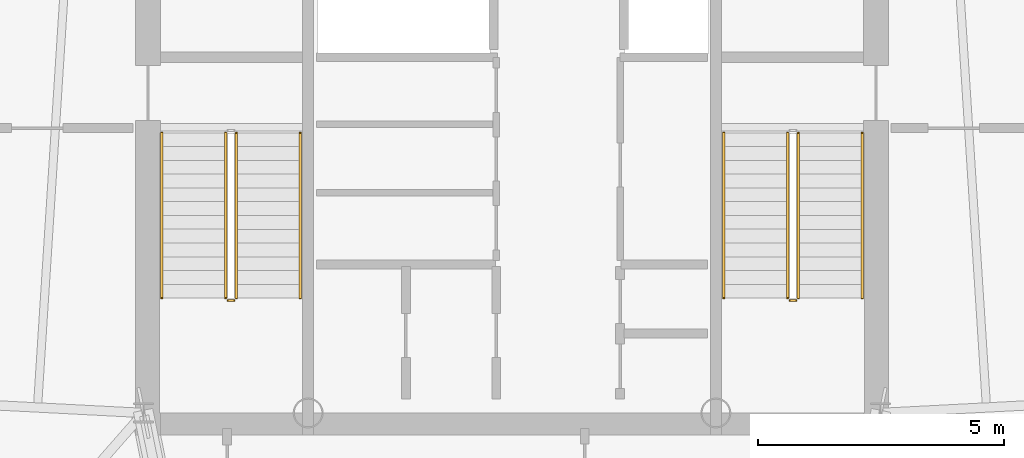
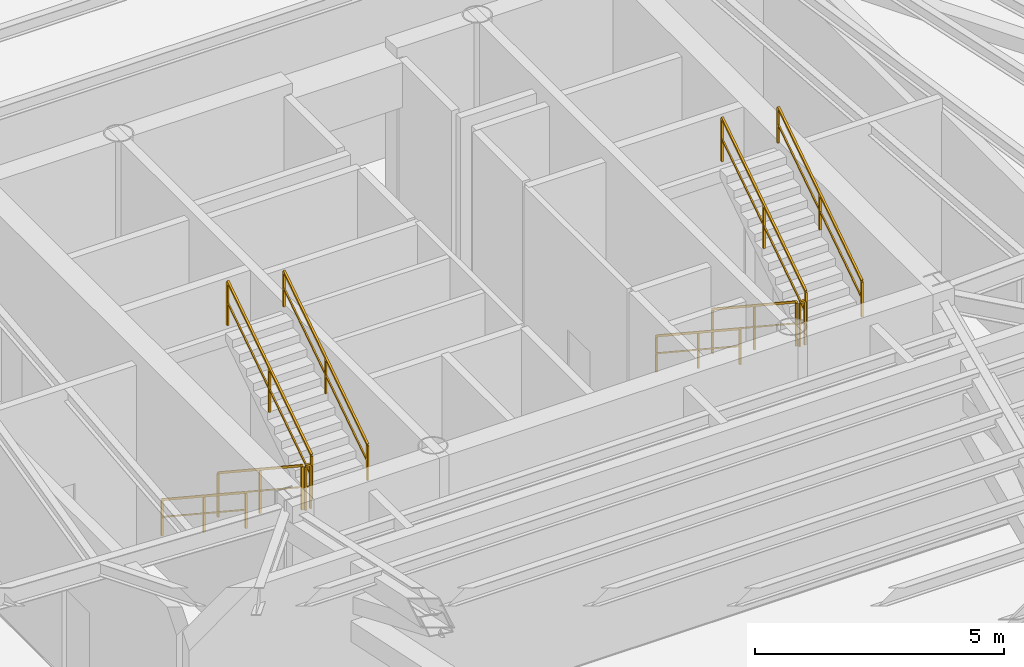
# One storey, part 9 of 12: 10 railings.
"""IFC4 building model written with IfcOpenShell, lengths in metres."""

import ifcopenshell
import ifcopenshell.guid

model = None  # the IFC model being written
_history = None  # IfcOwnerHistory: only IFC2X3 demands one
_inside = {}  # id of a spatial element -> (the spatial element, [elements in it])
_under = {}  # id of a project, library or spatial element -> (it, [spatial elements below it])
_declared = {}  # id of a project -> (the project, [libraries it declares])
_typed = {}  # id of a type object -> (the type object, [elements of that type])
_made_of = {}  # id of a material, layer set ... -> (it, [elements and type objects made of it])


def new_model(schema):
    """Start an empty IFC model of exactly this schema.

    Asked for "IFC4X3", IfcOpenShell would pick the latest addendum, in which some entities
    have other attributes; the version numbers below select the first issue.
    IFC2X3 requires an IfcOwnerHistory on every rooted entity: one is made here for all.
    """
    global model, _history
    if schema == "IFC4X3":
        model = ifcopenshell.file(schema_version=(4, 3, 0, 0))
    else:
        model = ifcopenshell.file(schema=schema)
    _inside.clear()
    _under.clear()
    _declared.clear()
    _typed.clear()
    _made_of.clear()
    _history = None
    if model.schema == "IFC2X3":
        org = make("IfcOrganization", Name="unknown")
        user = make(
            "IfcPersonAndOrganization",
            ThePerson=make("IfcPerson", FamilyName="unknown"),
            TheOrganization=org,
        )
        app = make(
            "IfcApplication",
            ApplicationDeveloper=org,
            Version="unknown",
            ApplicationFullName="unknown",
            ApplicationIdentifier="unknown",
        )
        _history = make(
            "IfcOwnerHistory",
            OwningUser=user,
            OwningApplication=app,
            ChangeAction="ADDED",
            CreationDate=0,
        )
    return model


def make(cls, **values):
    """One entity of the class cls with the attributes given. An attribute that is None is left unset."""
    return model.create_entity(
        cls, **{name: value for name, value in values.items() if value is not None}
    )


def rooted(cls, **values):
    """An entity with a GlobalId (a new one), such as an element, a storey or a relation."""
    return make(cls, GlobalId=ifcopenshell.guid.new(), OwnerHistory=_history, **values)


def si_unit(unit_type, name, prefix=None):
    """IfcSIUnit, for example si_unit("LENGTHUNIT", "METRE", prefix="MILLI")."""
    return make("IfcSIUnit", UnitType=unit_type, Prefix=prefix, Name=name)


def assignment(units):
    """IfcUnitAssignment: the units of a project."""
    return None if units is None else make("IfcUnitAssignment", Units=units)


def point(xyz):
    """IfcCartesianPoint."""
    return None if xyz is None else make("IfcCartesianPoint", Coordinates=xyz)


def direction(xyz):
    """IfcDirection."""
    return None if xyz is None else make("IfcDirection", DirectionRatios=xyz)


def frame(location, z_axis=None, x_axis=None):
    """IfcAxis2Placement3D, a coordinate frame: its origin and axes. An axis left out is left unset."""
    return make(
        "IfcAxis2Placement3D",
        Location=point(location),
        Axis=direction(z_axis),
        RefDirection=direction(x_axis),
    )


def frame_2d(location, x_axis=None):
    """IfcAxis2Placement2D, a coordinate frame in the plane: its origin and x axis."""
    return make(
        "IfcAxis2Placement2D", Location=point(location), RefDirection=direction(x_axis)
    )


def origin():
    """The frame at (0, 0, 0) with its axes left unset."""
    return frame((0.0, 0.0, 0.0))


def origin_2d():
    """The frame at (0, 0) in the plane with its x axis left unset."""
    return frame_2d((0.0, 0.0))


def place(relative_to, where):
    """IfcLocalPlacement: puts the frame where relative to a parent placement (None: the world)."""
    return make(
        "IfcLocalPlacement", PlacementRelTo=relative_to, RelativePlacement=where
    )


def context(
    kind, dimensions, precision=None, world=None, true_north=None, identifier=None
):
    """IfcGeometricRepresentationContext, for example the 3D "Model" context."""
    return make(
        "IfcGeometricRepresentationContext",
        ContextIdentifier=identifier,
        ContextType=kind,
        CoordinateSpaceDimension=dimensions,
        Precision=precision,
        WorldCoordinateSystem=world,
        TrueNorth=true_north,
    )


def subcontext(parent, identifier, kind, view, scale=None):
    """IfcGeometricRepresentationSubContext, for example "Body" below "Model"."""
    return make(
        "IfcGeometricRepresentationSubContext",
        ContextIdentifier=identifier,
        ContextType=kind,
        ParentContext=parent,
        TargetScale=scale,
        TargetView=view,
    )


def project(units=None, contexts=None):
    """IfcProject with its units and contexts."""
    return rooted(
        "IfcProject",
        Name="project",
        RepresentationContexts=contexts,
        UnitsInContext=assignment(units),
    )


def spatial(cls, under=None, at=None, **own):
    """A site, building, storey or space (cls), placed at a placement, below another one or the project."""
    s = rooted(cls, ObjectPlacement=at, **own)
    if under is not None:
        _under.setdefault(under.id(), (under, []))[1].append(s)
    return s


def profile(cls, at=None, kind="AREA", **sizes):
    """A parametric profile (cls). Its sizes go by their IFC names, for example OverallWidth=200.0."""
    return make(cls, ProfileType=kind, Position=at, **sizes)


def rectangle(**sizes):
    """IfcRectangleProfileDef."""
    return profile("IfcRectangleProfileDef", **sizes)


def extrude(swept, where, along, depth):
    """IfcExtrudedAreaSolid: the profile swept, set in the frame where, extruded along a direction by depth."""
    return make(
        "IfcExtrudedAreaSolid",
        SweptArea=swept,
        Position=where,
        ExtrudedDirection=direction(along),
        Depth=depth,
    )


def shape(context_of_items, identifier, shape_type, items):
    """IfcShapeRepresentation: the items that make up one representation, for example the "Body"."""
    return make(
        "IfcShapeRepresentation",
        ContextOfItems=context_of_items,
        RepresentationIdentifier=identifier,
        RepresentationType=shape_type,
        Items=items,
    )


def material(Name=None, Category=None):
    """IfcMaterial."""
    return make("IfcMaterial", Name=Name, Category=Category)


def layer(
    of_material, thickness, ventilated=None, Name=None, Category=None, Priority=None
):
    """IfcMaterialLayer: one layer of a wall or slab, of a material (None: an air gap)."""
    return make(
        "IfcMaterialLayer",
        Material=of_material,
        LayerThickness=thickness,
        IsVentilated=ventilated,
        Name=Name,
        Category=Category,
        Priority=Priority,
    )


def layer_set(layers, Name=None):
    """IfcMaterialLayerSet."""
    return make("IfcMaterialLayerSet", MaterialLayers=layers, LayerSetName=Name)


def made_of(thing, what):
    """Note that an element or type object is made of a material, layer set ...; save() writes the relation."""
    if what is not None:
        _made_of.setdefault(what.id(), (what, []))[1].append(thing)
    return thing


def type_object(cls, material=None, **own):
    """A type object (cls), such as IfcWallType, which elements share."""
    return made_of(rooted(cls, **own), material)


def element(
    cls,
    number,
    at=None,
    inside=None,
    cuts=None,
    type_object=None,
    material=None,
    context=None,
    identifier="Body",
    shape_type=None,
    held_by="IfcProductDefinitionShape",
    body=None,
    shapes=None,
    **own,
):
    """One element of the class cls, such as IfcWall. Its Tag is "e" and its number.

    at: its placement. inside: the storey or other place that contains it. cuts: it is an
    opening in that element (IfcRelVoidsElement). A single representation is given by context,
    identifier, shape_type and body (its items); several are given by shapes. held_by: the class
    of the entity that holds the representations. save() writes the other relations.
    """
    e = rooted(cls, Tag="e%d" % number, ObjectPlacement=at, **own)
    if body is not None:
        shapes = [shape(context, identifier, shape_type, body)]
    if shapes is not None:
        e.Representation = make(held_by, Representations=shapes)
    if inside is not None:
        _inside.setdefault(inside.id(), (inside, []))[1].append(e)
    if cuts is not None:
        rooted(
            "IfcRelVoidsElement", RelatingBuildingElement=cuts, RelatedOpeningElement=e
        )
    if type_object is not None:
        _typed.setdefault(type_object.id(), (type_object, []))[1].append(e)
    return made_of(e, material)


def aggregate(whole, parts):
    """IfcRelAggregates: a whole, such as a stair, and the parts it consists of."""
    return rooted("IfcRelAggregates", RelatingObject=whole, RelatedObjects=parts)


def save(model, path):
    """Write the relations noted so far, then the file.

    IfcRelAggregates (storeys below a building ...), IfcRelContainedInSpatialStructure (elements
    in a storey), IfcRelDefinesByType, IfcRelAssociatesMaterial and IfcRelDeclares: one each for
    every whole, place, type object, material and project.
    """
    for whole, parts in _under.values():
        aggregate(whole, parts)
    for where, things in _inside.values():
        rooted(
            "IfcRelContainedInSpatialStructure",
            RelatedElements=things,
            RelatingStructure=where,
        )
    for kind, things in _typed.values():
        rooted("IfcRelDefinesByType", RelatedObjects=things, RelatingType=kind)
    for what, things in _made_of.values():
        rooted("IfcRelAssociatesMaterial", RelatedObjects=things, RelatingMaterial=what)
    for by, libraries in _declared.values():
        rooted("IfcRelDeclares", RelatingContext=by, RelatedDefinitions=libraries)
    model.write(path)


model = new_model("IFC4")

# Units and contexts
model_context = context("Model", 3, precision=1e-05, world=origin(), true_north=direction((0.0, 1.0)))
body_context = subcontext(model_context, "Body", "Model", "MODEL_VIEW")
ifc_project = project(units=[si_unit("LENGTHUNIT", "METRE"), si_unit("AREAUNIT", "SQUARE_METRE"), si_unit("VOLUMEUNIT", "CUBIC_METRE"), si_unit("PLANEANGLEUNIT", "RADIAN"), si_unit("MASSUNIT", "GRAM", prefix="KILO")], contexts=[model_context])

# Site, building, storey
site_placement = place(None, origin())
site = spatial("IfcSite", under=ifc_project, at=site_placement, CompositionType="ELEMENT")
building_placement = place(site_placement, origin())
building = spatial("IfcBuilding", under=site, at=building_placement, Name="Caelisora Broadcast Tower", CompositionType="ELEMENT")
storey_placement = place(building_placement, frame((0.0, 0.0, 150.050048828125)))
storey = spatial("IfcBuildingStorey", under=building, at=storey_placement, Name="L39", CompositionType="ELEMENT", Elevation=150.050048828125)

# Railings
ifc_material_1 = material(Name="Galvanised Steel Safety Guardrail", Category="steel")
ifc_layer_1 = layer(ifc_material_1, 0.048095703125, Name="Galvanised Steel Safety Guardrail")
ifc_layer_set_1 = layer_set([ifc_layer_1], Name="Galvanised Steel Safety Guardrail")
railing_type_1 = type_object("IfcRailingType", Name="GR-1", PredefinedType="GUARDRAIL", material=ifc_layer_set_1)
railing_1_placement = place(storey_placement, frame((32.169921875, 23.10009765625, 0.1845703125)))
element("IfcRailing", 1, at=railing_1_placement, inside=storey, type_object=railing_type_1, Name="L39 ST-1 stair guard 1", PredefinedType="GUARDRAIL", context=body_context, shape_type="SweptSolid", body=[
    extrude(rectangle(XDim=0.048095703125, YDim=0.048095703125, at=origin_2d()), frame((0.0, 0.0, 1.076171875), z_axis=(0.0, -0.834876476806, 0.550437342915), x_axis=(1.0, 0.0, 0.0)), (0.0, 0.0, 1.0), 4.024658203125),
    extrude(rectangle(XDim=0.03125, YDim=0.03125, at=origin_2d()), frame((0.0, 0.0, 0.550048828125), z_axis=(0.0, -0.834876476806, 0.550437342915), x_axis=(1.0, 0.0, 0.0)), (0.0, 0.0, 1.0), 4.024658203125),
    extrude(rectangle(XDim=0.0419921875, YDim=0.0419921875, at=origin_2d()), origin(), (0.0, 0.0, 1.0), 1.052001953125),
    extrude(rectangle(XDim=0.0419921875, YDim=0.0419921875, at=origin_2d()), frame((0.0, -1.68017578125, 1.107666015625)), (0.0, 0.0, 1.0), 1.052001953125),
    extrude(rectangle(XDim=0.0419921875, YDim=0.0419921875, at=origin_2d()), frame((0.0, -3.360107421875, 2.21533203125)), (0.0, 0.0, 1.0), 1.052001953125),
])
railing_2_placement = place(storey_placement, frame((32.219970703125, 19.68994140625, 2.39990234375)))
element("IfcRailing", 2, at=railing_2_placement, inside=storey, type_object=railing_type_1, Name="L39 ST-1 stair guard 2", PredefinedType="GUARDRAIL", context=body_context, shape_type="SweptSolid", body=[
    extrude(rectangle(XDim=0.048095703125, YDim=0.048095703125, at=origin_2d()), frame((0.0, 0.0, 1.076171875), z_axis=(1.0, 0.0, 0.0), x_axis=(0.0, 1.0, 0.0)), (0.0, 0.0, 1.0), 0.1201171875),
    extrude(rectangle(XDim=0.03125, YDim=0.03125, at=origin_2d()), frame((0.0, 0.0, 0.550048828125), z_axis=(1.0, 0.0, 0.0), x_axis=(0.0, 1.0, 0.0)), (0.0, 0.0, 1.0), 0.1201171875),
    extrude(rectangle(XDim=0.0419921875, YDim=0.0419921875, at=origin_2d()), origin(), (0.0, 0.0, 1.0), 1.052001953125),
    extrude(rectangle(XDim=0.0419921875, YDim=0.0419921875, at=origin_2d()), frame((0.1201171875, 0.0, 0.0)), (0.0, 0.0, 1.0), 1.052001953125),
])
railing_3_placement = place(storey_placement, frame((32.389892578125, 19.739990234375, 2.58447265625)))
element("IfcRailing", 3, at=railing_3_placement, inside=storey, type_object=railing_type_1, Name="L39 ST-1 stair guard 3", PredefinedType="GUARDRAIL", context=body_context, shape_type="SweptSolid", body=[
    extrude(rectangle(XDim=0.048095703125, YDim=0.048095703125, at=origin_2d()), frame((0.0, 0.0, 1.076171875), z_axis=(0.0, 0.834848600103, 0.550479622607), x_axis=(-1.0, 0.0, 0.0)), (0.0, 0.0, 1.0), 4.02490234375),
    extrude(rectangle(XDim=0.03125, YDim=0.03125, at=origin_2d()), frame((0.0, 0.0, 0.550048828125), z_axis=(0.0, 0.834848600103, 0.550479622607), x_axis=(-1.0, 0.0, 0.0)), (0.0, 0.0, 1.0), 4.02490234375),
    extrude(rectangle(XDim=0.0419921875, YDim=0.0419921875, at=origin_2d()), origin(), (0.0, 0.0, 1.0), 1.052001953125),
    extrude(rectangle(XDim=0.0419921875, YDim=0.0419921875, at=origin_2d()), frame((0.0, 1.68017578125, 1.10791015625)), (0.0, 0.0, 1.0), 1.052001953125),
    extrude(rectangle(XDim=0.0419921875, YDim=0.0419921875, at=origin_2d()), frame((0.0, 3.360107421875, 2.215576171875)), (0.0, 0.0, 1.0), 1.052001953125),
])
railing_4_placement = place(storey_placement, frame((43.610107421875, 23.10009765625, 0.1845703125)))
element("IfcRailing", 4, at=railing_4_placement, inside=storey, type_object=railing_type_1, Name="L39 ST-2 stair guard 1", PredefinedType="GUARDRAIL", context=body_context, shape_type="SweptSolid", body=[
    extrude(rectangle(XDim=0.048095703125, YDim=0.048095703125, at=origin_2d()), frame((0.0, 0.0, 1.076171875), z_axis=(0.0, -0.834876476806, 0.550437342915), x_axis=(1.0, 0.0, 0.0)), (0.0, 0.0, 1.0), 4.024658203125),
    extrude(rectangle(XDim=0.03125, YDim=0.03125, at=origin_2d()), frame((0.0, 0.0, 0.550048828125), z_axis=(0.0, -0.834876476806, 0.550437342915), x_axis=(1.0, 0.0, 0.0)), (0.0, 0.0, 1.0), 4.024658203125),
    extrude(rectangle(XDim=0.0419921875, YDim=0.0419921875, at=origin_2d()), origin(), (0.0, 0.0, 1.0), 1.052001953125),
    extrude(rectangle(XDim=0.0419921875, YDim=0.0419921875, at=origin_2d()), frame((0.0, -1.68017578125, 1.107666015625)), (0.0, 0.0, 1.0), 1.052001953125),
    extrude(rectangle(XDim=0.0419921875, YDim=0.0419921875, at=origin_2d()), frame((0.0, -3.360107421875, 2.21533203125)), (0.0, 0.0, 1.0), 1.052001953125),
])
railing_5_placement = place(storey_placement, frame((43.659912109375, 19.68994140625, 2.39990234375)))
element("IfcRailing", 5, at=railing_5_placement, inside=storey, type_object=railing_type_1, Name="L39 ST-2 stair guard 2", PredefinedType="GUARDRAIL", context=body_context, shape_type="SweptSolid", body=[
    extrude(rectangle(XDim=0.048095703125, YDim=0.048095703125, at=origin_2d()), frame((0.0, 0.0, 1.076171875), z_axis=(1.0, 0.0, 0.0), x_axis=(0.0, 1.0, 0.0)), (0.0, 0.0, 1.0), 0.1201171875),
    extrude(rectangle(XDim=0.03125, YDim=0.03125, at=origin_2d()), frame((0.0, 0.0, 0.550048828125), z_axis=(1.0, 0.0, 0.0), x_axis=(0.0, 1.0, 0.0)), (0.0, 0.0, 1.0), 0.1201171875),
    extrude(rectangle(XDim=0.0419921875, YDim=0.0419921875, at=origin_2d()), origin(), (0.0, 0.0, 1.0), 1.052001953125),
    extrude(rectangle(XDim=0.0419921875, YDim=0.0419921875, at=origin_2d()), frame((0.1201171875, 0.0, 0.0)), (0.0, 0.0, 1.0), 1.052001953125),
])
railing_6_placement = place(storey_placement, frame((43.830078125, 19.739990234375, 2.58447265625)))
element("IfcRailing", 6, at=railing_6_placement, inside=storey, type_object=railing_type_1, Name="L39 ST-2 stair guard 3", PredefinedType="GUARDRAIL", context=body_context, shape_type="SweptSolid", body=[
    extrude(rectangle(XDim=0.048095703125, YDim=0.048095703125, at=origin_2d()), frame((0.0, 0.0, 1.076171875), z_axis=(0.0, 0.834848600103, 0.550479622607), x_axis=(-1.0, 0.0, 0.0)), (0.0, 0.0, 1.0), 4.02490234375),
    extrude(rectangle(XDim=0.03125, YDim=0.03125, at=origin_2d()), frame((0.0, 0.0, 0.550048828125), z_axis=(0.0, 0.834848600103, 0.550479622607), x_axis=(-1.0, 0.0, 0.0)), (0.0, 0.0, 1.0), 4.02490234375),
    extrude(rectangle(XDim=0.0419921875, YDim=0.0419921875, at=origin_2d()), origin(), (0.0, 0.0, 1.0), 1.052001953125),
    extrude(rectangle(XDim=0.0419921875, YDim=0.0419921875, at=origin_2d()), frame((0.0, 1.68017578125, 1.10791015625)), (0.0, 0.0, 1.0), 1.052001953125),
    extrude(rectangle(XDim=0.0419921875, YDim=0.0419921875, at=origin_2d()), frame((0.0, 3.360107421875, 2.215576171875)), (0.0, 0.0, 1.0), 1.052001953125),
])
ifc_material_2 = material(Name="Stainless Steel Grade 316 Tubular Handrail", Category="steel")
ifc_layer_2 = layer(ifc_material_2, 0.048095703125, Name="Stainless Steel Grade 316 Tubular Handrail")
ifc_layer_set_2 = layer_set([ifc_layer_2], Name="Stainless Steel Grade 316 Tubular Handrail")
railing_type_2 = type_object("IfcRailingType", Name="HR-1", PredefinedType="HANDRAIL", material=ifc_layer_set_2)
railing_7_placement = place(storey_placement, frame((30.8701171875, 23.10009765625, 0.1845703125)))
element("IfcRailing", 7, at=railing_7_placement, inside=storey, type_object=railing_type_2, Name="L39 ST-1 stair handrail 1", PredefinedType="HANDRAIL", context=body_context, shape_type="SweptSolid", body=[
    extrude(rectangle(XDim=0.048095703125, YDim=0.048095703125, at=origin_2d()), frame((0.0, 0.0, 0.8759765625), z_axis=(0.0, -0.834876476806, 0.550437342915), x_axis=(1.0, 0.0, 0.0)), (0.0, 0.0, 1.0), 4.024658203125),
    extrude(rectangle(XDim=0.03125, YDim=0.03125, at=origin_2d()), frame((0.0, 0.0, 0.449951171875), z_axis=(0.0, -0.834876476806, 0.550437342915), x_axis=(1.0, 0.0, 0.0)), (0.0, 0.0, 1.0), 4.024658203125),
    extrude(rectangle(XDim=0.0419921875, YDim=0.0419921875, at=origin_2d()), origin(), (0.0, 0.0, 1.0), 0.851806640625),
    extrude(rectangle(XDim=0.0419921875, YDim=0.0419921875, at=origin_2d()), frame((0.0, -1.68017578125, 1.107666015625)), (0.0, 0.0, 1.0), 0.851806640625),
    extrude(rectangle(XDim=0.0419921875, YDim=0.0419921875, at=origin_2d()), frame((0.0, -3.360107421875, 2.21533203125)), (0.0, 0.0, 1.0), 0.851806640625),
])
railing_8_placement = place(storey_placement, frame((33.68994140625, 19.739990234375, 2.58447265625)))
element("IfcRailing", 8, at=railing_8_placement, inside=storey, type_object=railing_type_2, Name="L39 ST-1 stair handrail 2", PredefinedType="HANDRAIL", context=body_context, shape_type="SweptSolid", body=[
    extrude(rectangle(XDim=0.048095703125, YDim=0.048095703125, at=origin_2d()), frame((0.0, 0.0, 0.8759765625), z_axis=(0.0, 0.834848600103, 0.550479622607), x_axis=(-1.0, 0.0, 0.0)), (0.0, 0.0, 1.0), 4.02490234375),
    extrude(rectangle(XDim=0.03125, YDim=0.03125, at=origin_2d()), frame((0.0, 0.0, 0.449951171875), z_axis=(0.0, 0.834848600103, 0.550479622607), x_axis=(-1.0, 0.0, 0.0)), (0.0, 0.0, 1.0), 4.02490234375),
    extrude(rectangle(XDim=0.0419921875, YDim=0.0419921875, at=origin_2d()), origin(), (0.0, 0.0, 1.0), 0.851806640625),
    extrude(rectangle(XDim=0.0419921875, YDim=0.0419921875, at=origin_2d()), frame((0.0, 1.68017578125, 1.10791015625)), (0.0, 0.0, 1.0), 0.851806640625),
    extrude(rectangle(XDim=0.0419921875, YDim=0.0419921875, at=origin_2d()), frame((0.0, 3.360107421875, 2.215576171875)), (0.0, 0.0, 1.0), 0.851806640625),
])
railing_9_placement = place(storey_placement, frame((42.31005859375, 23.10009765625, 0.1845703125)))
element("IfcRailing", 9, at=railing_9_placement, inside=storey, type_object=railing_type_2, Name="L39 ST-2 stair handrail 1", PredefinedType="HANDRAIL", context=body_context, shape_type="SweptSolid", body=[
    extrude(rectangle(XDim=0.048095703125, YDim=0.048095703125, at=origin_2d()), frame((0.0, 0.0, 0.8759765625), z_axis=(0.0, -0.834876476806, 0.550437342915), x_axis=(1.0, 0.0, 0.0)), (0.0, 0.0, 1.0), 4.024658203125),
    extrude(rectangle(XDim=0.03125, YDim=0.03125, at=origin_2d()), frame((0.0, 0.0, 0.449951171875), z_axis=(0.0, -0.834876476806, 0.550437342915), x_axis=(1.0, 0.0, 0.0)), (0.0, 0.0, 1.0), 4.024658203125),
    extrude(rectangle(XDim=0.0419921875, YDim=0.0419921875, at=origin_2d()), origin(), (0.0, 0.0, 1.0), 0.851806640625),
    extrude(rectangle(XDim=0.0419921875, YDim=0.0419921875, at=origin_2d()), frame((0.0, -1.68017578125, 1.107666015625)), (0.0, 0.0, 1.0), 0.851806640625),
    extrude(rectangle(XDim=0.0419921875, YDim=0.0419921875, at=origin_2d()), frame((0.0, -3.360107421875, 2.21533203125)), (0.0, 0.0, 1.0), 0.851806640625),
])
railing_10_placement = place(storey_placement, frame((45.1298828125, 19.739990234375, 2.58447265625)))
element("IfcRailing", 10, at=railing_10_placement, inside=storey, type_object=railing_type_2, Name="L39 ST-2 stair handrail 2", PredefinedType="HANDRAIL", context=body_context, shape_type="SweptSolid", body=[
    extrude(rectangle(XDim=0.048095703125, YDim=0.048095703125, at=origin_2d()), frame((0.0, 0.0, 0.8759765625), z_axis=(0.0, 0.834848600103, 0.550479622607), x_axis=(-1.0, 0.0, 0.0)), (0.0, 0.0, 1.0), 4.02490234375),
    extrude(rectangle(XDim=0.03125, YDim=0.03125, at=origin_2d()), frame((0.0, 0.0, 0.449951171875), z_axis=(0.0, 0.834848600103, 0.550479622607), x_axis=(-1.0, 0.0, 0.0)), (0.0, 0.0, 1.0), 4.02490234375),
    extrude(rectangle(XDim=0.0419921875, YDim=0.0419921875, at=origin_2d()), origin(), (0.0, 0.0, 1.0), 0.851806640625),
    extrude(rectangle(XDim=0.0419921875, YDim=0.0419921875, at=origin_2d()), frame((0.0, 1.68017578125, 1.10791015625)), (0.0, 0.0, 1.0), 0.851806640625),
    extrude(rectangle(XDim=0.0419921875, YDim=0.0419921875, at=origin_2d()), frame((0.0, 3.360107421875, 2.215576171875)), (0.0, 0.0, 1.0), 0.851806640625),
])

save(model, "model.ifc")
